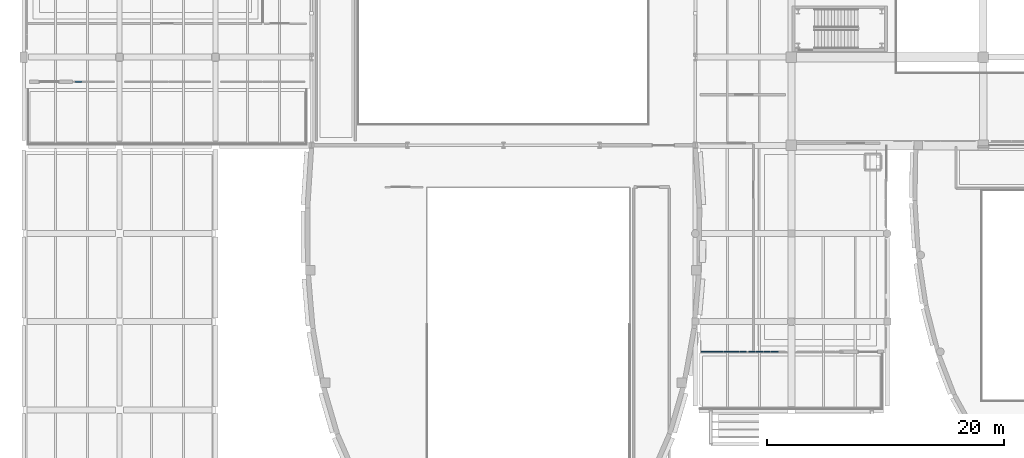
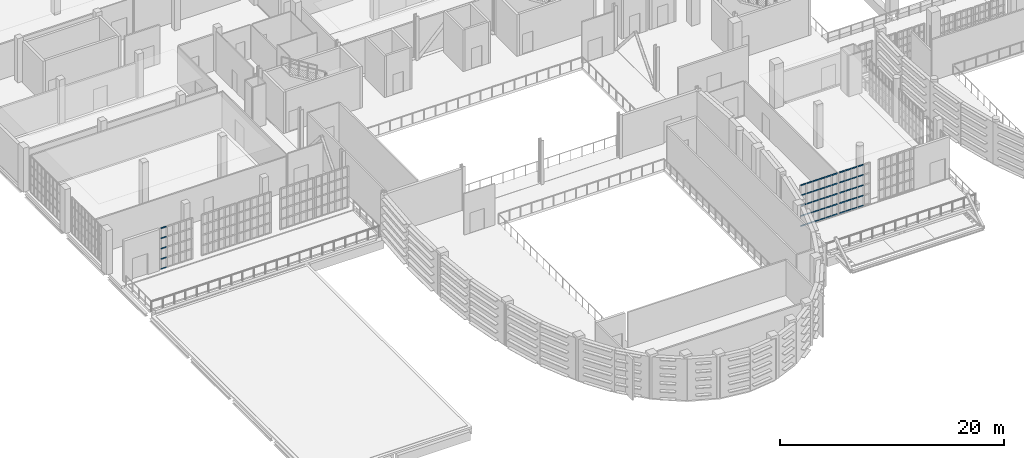
# One storey, part 52 of 104: 55 members, 3 elements without a shape of their own.
"""IFC4 building model written with IfcOpenShell, lengths in metres."""

from ifc_helpers import new_model, si_unit, direction, frame, origin, origin_2d, place, context, subcontext, project, spatial, hollow_rectangle, extrude, material, material_profile, profile_set, type_object, element, aggregate, save


model = new_model("IFC4")

# Units and contexts
model_context = context("Model", 3, precision=1e-05, world=origin(), true_north=direction((0.0, 1.0)))
body_context = subcontext(model_context, "Body", "Model", "MODEL_VIEW")
ifc_project = project(units=[si_unit("LENGTHUNIT", "METRE"), si_unit("AREAUNIT", "SQUARE_METRE"), si_unit("VOLUMEUNIT", "CUBIC_METRE"), si_unit("PLANEANGLEUNIT", "RADIAN"), si_unit("MASSUNIT", "GRAM", prefix="KILO")], contexts=[model_context])

# Site, building, storey
site_placement = place(None, origin())
site = spatial("IfcSite", under=ifc_project, at=site_placement, CompositionType="ELEMENT")
building_placement = place(site_placement, origin())
building = spatial("IfcBuilding", under=site, at=building_placement, Name="Kaelora Sail Theatre", CompositionType="ELEMENT")
storey_placement = place(building_placement, frame((0.0, 0.0, 5.39990234375)))
storey = spatial("IfcBuildingStorey", under=building, at=storey_placement, Name="L01", CompositionType="ELEMENT", Elevation=5.39990234375)

# Curtain wall, members
ifc_material_1 = material(Name="Anodised aluminium and solar-control low-E IGU", Category="aluminium")
curtain_wall_type = type_object("IfcCurtainWallType", Name="ARC-CW-CW-FOY2", PredefinedType="NOTDEFINED", material=ifc_material_1)
curtain_wall_1_placement = place(storey_placement, origin())
curtain_wall_1 = element("IfcCurtainWall", 1, at=curtain_wall_1_placement, inside=storey, type_object=curtain_wall_type, Name="West Interstitial Sail Foyer Curtain Wall L01-01", PredefinedType="NOTDEFINED")
ifc_material_2 = material(Name="Anodised aluminium 6063-T6", Category="aluminium")
ifc_material_profile = material_profile(ifc_material_2, hollow_rectangle(XDim=0.070068359375, YDim=0.139892578125, WallThickness=0.00390625, InnerFilletRadius=0.00390625, OuterFilletRadius=0.008056640625, at=origin_2d()), Name="ALU-TRAN 70x140x4")
ifc_profile_set = profile_set([ifc_material_profile], Name="Anodised aluminium 6063-T6")
member_type = type_object("IfcMemberType", Name="ARC-MEM-TR-140", PredefinedType="USERDEFINED", material=ifc_profile_set)
member_1_placement = place(storey_placement, frame((58.7099609375, 43.590087890625, 0.03515625), z_axis=(1.0, 0.0, 0.0), x_axis=(0.0, 1.0, 0.0)))
member_1 = element("IfcMember", 2, at=member_1_placement, type_object=member_type, Name="CW-FOY2 transom 1.1", ObjectType="TRANSOM", PredefinedType="USERDEFINED", context=body_context, shape_type="SweptSolid", body=[
    extrude(hollow_rectangle(XDim=0.070068359375, YDim=0.139892578125, WallThickness=0.00390625, InnerFilletRadius=0.00390625, OuterFilletRadius=0.008056640625, at=origin_2d()), origin(), (0.0, 0.0, 1.0), 0.56005859375),
])
member_2_placement = place(storey_placement, frame((58.7099609375, 43.590087890625, 1.12646484375), z_axis=(1.0, 0.0, 0.0), x_axis=(0.0, 1.0, 0.0)))
member_2 = element("IfcMember", 3, at=member_2_placement, type_object=member_type, Name="CW-FOY2 transom 1.2", ObjectType="TRANSOM", PredefinedType="USERDEFINED", context=body_context, shape_type="SweptSolid", body=[
    extrude(hollow_rectangle(XDim=0.070068359375, YDim=0.139892578125, WallThickness=0.00390625, InnerFilletRadius=0.00390625, OuterFilletRadius=0.008056640625, at=origin_2d()), origin(), (0.0, 0.0, 1.0), 0.56005859375),
])
member_3_placement = place(storey_placement, frame((58.7099609375, 43.590087890625, 2.252685546875), z_axis=(1.0, 0.0, 0.0), x_axis=(0.0, 1.0, 0.0)))
member_3 = element("IfcMember", 4, at=member_3_placement, type_object=member_type, Name="CW-FOY2 transom 1.3", ObjectType="TRANSOM", PredefinedType="USERDEFINED", context=body_context, shape_type="SweptSolid", body=[
    extrude(hollow_rectangle(XDim=0.070068359375, YDim=0.139892578125, WallThickness=0.00390625, InnerFilletRadius=0.00390625, OuterFilletRadius=0.008056640625, at=origin_2d()), origin(), (0.0, 0.0, 1.0), 0.56005859375),
])
member_4_placement = place(storey_placement, frame((58.7099609375, 43.590087890625, 3.37890625), z_axis=(1.0, 0.0, 0.0), x_axis=(0.0, 1.0, 0.0)))
member_4 = element("IfcMember", 5, at=member_4_placement, type_object=member_type, Name="CW-FOY2 transom 1.4", ObjectType="TRANSOM", PredefinedType="USERDEFINED", context=body_context, shape_type="SweptSolid", body=[
    extrude(hollow_rectangle(XDim=0.070068359375, YDim=0.139892578125, WallThickness=0.00390625, InnerFilletRadius=0.00390625, OuterFilletRadius=0.008056640625, at=origin_2d()), origin(), (0.0, 0.0, 1.0), 0.56005859375),
])
member_5_placement = place(storey_placement, frame((58.7099609375, 43.590087890625, 4.47021484375), z_axis=(1.0, 0.0, 0.0), x_axis=(0.0, 1.0, 0.0)))
member_5 = element("IfcMember", 6, at=member_5_placement, type_object=member_type, Name="CW-FOY2 transom 1.5", ObjectType="TRANSOM", PredefinedType="USERDEFINED", context=body_context, shape_type="SweptSolid", body=[
    extrude(hollow_rectangle(XDim=0.070068359375, YDim=0.139892578125, WallThickness=0.00390625, InnerFilletRadius=0.00390625, OuterFilletRadius=0.008056640625, at=origin_2d()), origin(), (0.0, 0.0, 1.0), 0.56005859375),
])
member_6_placement = place(storey_placement, frame((59.330078125, 43.590087890625, 0.03515625), z_axis=(1.0, 0.0, 0.0), x_axis=(0.0, 1.0, 0.0)))
member_6 = element("IfcMember", 7, at=member_6_placement, type_object=member_type, Name="CW-FOY2 transom 2.1", ObjectType="TRANSOM", PredefinedType="USERDEFINED", context=body_context, shape_type="SweptSolid", body=[
    extrude(hollow_rectangle(XDim=0.070068359375, YDim=0.139892578125, WallThickness=0.00390625, InnerFilletRadius=0.00390625, OuterFilletRadius=0.008056640625, at=origin_2d()), origin(), (0.0, 0.0, 1.0), 0.58984375),
])
member_7_placement = place(storey_placement, frame((59.330078125, 43.590087890625, 1.12646484375), z_axis=(1.0, 0.0, 0.0), x_axis=(0.0, 1.0, 0.0)))
member_7 = element("IfcMember", 8, at=member_7_placement, type_object=member_type, Name="CW-FOY2 transom 2.2", ObjectType="TRANSOM", PredefinedType="USERDEFINED", context=body_context, shape_type="SweptSolid", body=[
    extrude(hollow_rectangle(XDim=0.070068359375, YDim=0.139892578125, WallThickness=0.00390625, InnerFilletRadius=0.00390625, OuterFilletRadius=0.008056640625, at=origin_2d()), origin(), (0.0, 0.0, 1.0), 0.58984375),
])
member_8_placement = place(storey_placement, frame((59.330078125, 43.590087890625, 2.252685546875), z_axis=(1.0, 0.0, 0.0), x_axis=(0.0, 1.0, 0.0)))
member_8 = element("IfcMember", 9, at=member_8_placement, type_object=member_type, Name="CW-FOY2 transom 2.3", ObjectType="TRANSOM", PredefinedType="USERDEFINED", context=body_context, shape_type="SweptSolid", body=[
    extrude(hollow_rectangle(XDim=0.070068359375, YDim=0.139892578125, WallThickness=0.00390625, InnerFilletRadius=0.00390625, OuterFilletRadius=0.008056640625, at=origin_2d()), origin(), (0.0, 0.0, 1.0), 0.58984375),
])
member_9_placement = place(storey_placement, frame((59.330078125, 43.590087890625, 3.37890625), z_axis=(1.0, 0.0, 0.0), x_axis=(0.0, 1.0, 0.0)))
member_9 = element("IfcMember", 10, at=member_9_placement, type_object=member_type, Name="CW-FOY2 transom 2.4", ObjectType="TRANSOM", PredefinedType="USERDEFINED", context=body_context, shape_type="SweptSolid", body=[
    extrude(hollow_rectangle(XDim=0.070068359375, YDim=0.139892578125, WallThickness=0.00390625, InnerFilletRadius=0.00390625, OuterFilletRadius=0.008056640625, at=origin_2d()), origin(), (0.0, 0.0, 1.0), 0.58984375),
])
member_10_placement = place(storey_placement, frame((59.330078125, 43.590087890625, 4.47021484375), z_axis=(1.0, 0.0, 0.0), x_axis=(0.0, 1.0, 0.0)))
member_10 = element("IfcMember", 11, at=member_10_placement, type_object=member_type, Name="CW-FOY2 transom 2.5", ObjectType="TRANSOM", PredefinedType="USERDEFINED", context=body_context, shape_type="SweptSolid", body=[
    extrude(hollow_rectangle(XDim=0.070068359375, YDim=0.139892578125, WallThickness=0.00390625, InnerFilletRadius=0.00390625, OuterFilletRadius=0.008056640625, at=origin_2d()), origin(), (0.0, 0.0, 1.0), 0.58984375),
])
member_11_placement = place(storey_placement, frame((59.97998046875, 43.590087890625, 0.03515625), z_axis=(1.0, 0.0, 0.0), x_axis=(0.0, 1.0, 0.0)))
member_11 = element("IfcMember", 12, at=member_11_placement, type_object=member_type, Name="CW-FOY2 transom 3.1", ObjectType="TRANSOM", PredefinedType="USERDEFINED", context=body_context, shape_type="SweptSolid", body=[
    extrude(hollow_rectangle(XDim=0.070068359375, YDim=0.139892578125, WallThickness=0.00390625, InnerFilletRadius=0.00390625, OuterFilletRadius=0.008056640625, at=origin_2d()), origin(), (0.0, 0.0, 1.0), 0.590087890625),
])
member_12_placement = place(storey_placement, frame((59.97998046875, 43.590087890625, 1.12646484375), z_axis=(1.0, 0.0, 0.0), x_axis=(0.0, 1.0, 0.0)))
member_12 = element("IfcMember", 13, at=member_12_placement, type_object=member_type, Name="CW-FOY2 transom 3.2", ObjectType="TRANSOM", PredefinedType="USERDEFINED", context=body_context, shape_type="SweptSolid", body=[
    extrude(hollow_rectangle(XDim=0.070068359375, YDim=0.139892578125, WallThickness=0.00390625, InnerFilletRadius=0.00390625, OuterFilletRadius=0.008056640625, at=origin_2d()), origin(), (0.0, 0.0, 1.0), 0.590087890625),
])
member_13_placement = place(storey_placement, frame((59.97998046875, 43.590087890625, 2.252685546875), z_axis=(1.0, 0.0, 0.0), x_axis=(0.0, 1.0, 0.0)))
member_13 = element("IfcMember", 14, at=member_13_placement, type_object=member_type, Name="CW-FOY2 transom 3.3", ObjectType="TRANSOM", PredefinedType="USERDEFINED", context=body_context, shape_type="SweptSolid", body=[
    extrude(hollow_rectangle(XDim=0.070068359375, YDim=0.139892578125, WallThickness=0.00390625, InnerFilletRadius=0.00390625, OuterFilletRadius=0.008056640625, at=origin_2d()), origin(), (0.0, 0.0, 1.0), 0.590087890625),
])
member_14_placement = place(storey_placement, frame((59.97998046875, 43.590087890625, 3.37890625), z_axis=(1.0, 0.0, 0.0), x_axis=(0.0, 1.0, 0.0)))
member_14 = element("IfcMember", 15, at=member_14_placement, type_object=member_type, Name="CW-FOY2 transom 3.4", ObjectType="TRANSOM", PredefinedType="USERDEFINED", context=body_context, shape_type="SweptSolid", body=[
    extrude(hollow_rectangle(XDim=0.070068359375, YDim=0.139892578125, WallThickness=0.00390625, InnerFilletRadius=0.00390625, OuterFilletRadius=0.008056640625, at=origin_2d()), origin(), (0.0, 0.0, 1.0), 0.590087890625),
])
member_15_placement = place(storey_placement, frame((59.97998046875, 43.590087890625, 4.47021484375), z_axis=(1.0, 0.0, 0.0), x_axis=(0.0, 1.0, 0.0)))
member_15 = element("IfcMember", 16, at=member_15_placement, type_object=member_type, Name="CW-FOY2 transom 3.5", ObjectType="TRANSOM", PredefinedType="USERDEFINED", context=body_context, shape_type="SweptSolid", body=[
    extrude(hollow_rectangle(XDim=0.070068359375, YDim=0.139892578125, WallThickness=0.00390625, InnerFilletRadius=0.00390625, OuterFilletRadius=0.008056640625, at=origin_2d()), origin(), (0.0, 0.0, 1.0), 0.590087890625),
])
member_16_placement = place(storey_placement, frame((60.6298828125, 43.590087890625, 0.03515625), z_axis=(1.0, 0.0, 0.0), x_axis=(0.0, 1.0, 0.0)))
member_16 = element("IfcMember", 17, at=member_16_placement, type_object=member_type, Name="CW-FOY2 transom 4.1", ObjectType="TRANSOM", PredefinedType="USERDEFINED", context=body_context, shape_type="SweptSolid", body=[
    extrude(hollow_rectangle(XDim=0.070068359375, YDim=0.139892578125, WallThickness=0.00390625, InnerFilletRadius=0.00390625, OuterFilletRadius=0.008056640625, at=origin_2d()), origin(), (0.0, 0.0, 1.0), 0.590087890625),
])
member_17_placement = place(storey_placement, frame((60.6298828125, 43.590087890625, 1.12646484375), z_axis=(1.0, 0.0, 0.0), x_axis=(0.0, 1.0, 0.0)))
member_17 = element("IfcMember", 18, at=member_17_placement, type_object=member_type, Name="CW-FOY2 transom 4.2", ObjectType="TRANSOM", PredefinedType="USERDEFINED", context=body_context, shape_type="SweptSolid", body=[
    extrude(hollow_rectangle(XDim=0.070068359375, YDim=0.139892578125, WallThickness=0.00390625, InnerFilletRadius=0.00390625, OuterFilletRadius=0.008056640625, at=origin_2d()), origin(), (0.0, 0.0, 1.0), 0.590087890625),
])
member_18_placement = place(storey_placement, frame((60.6298828125, 43.590087890625, 2.252685546875), z_axis=(1.0, 0.0, 0.0), x_axis=(0.0, 1.0, 0.0)))
member_18 = element("IfcMember", 19, at=member_18_placement, type_object=member_type, Name="CW-FOY2 transom 4.3", ObjectType="TRANSOM", PredefinedType="USERDEFINED", context=body_context, shape_type="SweptSolid", body=[
    extrude(hollow_rectangle(XDim=0.070068359375, YDim=0.139892578125, WallThickness=0.00390625, InnerFilletRadius=0.00390625, OuterFilletRadius=0.008056640625, at=origin_2d()), origin(), (0.0, 0.0, 1.0), 0.590087890625),
])
member_19_placement = place(storey_placement, frame((60.6298828125, 43.590087890625, 3.37890625), z_axis=(1.0, 0.0, 0.0), x_axis=(0.0, 1.0, 0.0)))
member_19 = element("IfcMember", 20, at=member_19_placement, type_object=member_type, Name="CW-FOY2 transom 4.4", ObjectType="TRANSOM", PredefinedType="USERDEFINED", context=body_context, shape_type="SweptSolid", body=[
    extrude(hollow_rectangle(XDim=0.070068359375, YDim=0.139892578125, WallThickness=0.00390625, InnerFilletRadius=0.00390625, OuterFilletRadius=0.008056640625, at=origin_2d()), origin(), (0.0, 0.0, 1.0), 0.590087890625),
])
member_20_placement = place(storey_placement, frame((60.6298828125, 43.590087890625, 4.47021484375), z_axis=(1.0, 0.0, 0.0), x_axis=(0.0, 1.0, 0.0)))
member_20 = element("IfcMember", 21, at=member_20_placement, type_object=member_type, Name="CW-FOY2 transom 4.5", ObjectType="TRANSOM", PredefinedType="USERDEFINED", context=body_context, shape_type="SweptSolid", body=[
    extrude(hollow_rectangle(XDim=0.070068359375, YDim=0.139892578125, WallThickness=0.00390625, InnerFilletRadius=0.00390625, OuterFilletRadius=0.008056640625, at=origin_2d()), origin(), (0.0, 0.0, 1.0), 0.590087890625),
])
member_21_placement = place(storey_placement, frame((61.280029296875, 43.590087890625, 0.03515625), z_axis=(1.0, 0.0, 0.0), x_axis=(0.0, 1.0, 0.0)))
member_21 = element("IfcMember", 22, at=member_21_placement, type_object=member_type, Name="CW-FOY2 transom 5.1", ObjectType="TRANSOM", PredefinedType="USERDEFINED", context=body_context, shape_type="SweptSolid", body=[
    extrude(hollow_rectangle(XDim=0.070068359375, YDim=0.139892578125, WallThickness=0.00390625, InnerFilletRadius=0.00390625, OuterFilletRadius=0.008056640625, at=origin_2d()), origin(), (0.0, 0.0, 1.0), 0.590087890625),
])
member_22_placement = place(storey_placement, frame((61.280029296875, 43.590087890625, 1.12646484375), z_axis=(1.0, 0.0, 0.0), x_axis=(0.0, 1.0, 0.0)))
member_22 = element("IfcMember", 23, at=member_22_placement, type_object=member_type, Name="CW-FOY2 transom 5.2", ObjectType="TRANSOM", PredefinedType="USERDEFINED", context=body_context, shape_type="SweptSolid", body=[
    extrude(hollow_rectangle(XDim=0.070068359375, YDim=0.139892578125, WallThickness=0.00390625, InnerFilletRadius=0.00390625, OuterFilletRadius=0.008056640625, at=origin_2d()), origin(), (0.0, 0.0, 1.0), 0.590087890625),
])
member_23_placement = place(storey_placement, frame((61.280029296875, 43.590087890625, 2.252685546875), z_axis=(1.0, 0.0, 0.0), x_axis=(0.0, 1.0, 0.0)))
member_23 = element("IfcMember", 24, at=member_23_placement, type_object=member_type, Name="CW-FOY2 transom 5.3", ObjectType="TRANSOM", PredefinedType="USERDEFINED", context=body_context, shape_type="SweptSolid", body=[
    extrude(hollow_rectangle(XDim=0.070068359375, YDim=0.139892578125, WallThickness=0.00390625, InnerFilletRadius=0.00390625, OuterFilletRadius=0.008056640625, at=origin_2d()), origin(), (0.0, 0.0, 1.0), 0.590087890625),
])
member_24_placement = place(storey_placement, frame((61.280029296875, 43.590087890625, 3.37890625), z_axis=(1.0, 0.0, 0.0), x_axis=(0.0, 1.0, 0.0)))
member_24 = element("IfcMember", 25, at=member_24_placement, type_object=member_type, Name="CW-FOY2 transom 5.4", ObjectType="TRANSOM", PredefinedType="USERDEFINED", context=body_context, shape_type="SweptSolid", body=[
    extrude(hollow_rectangle(XDim=0.070068359375, YDim=0.139892578125, WallThickness=0.00390625, InnerFilletRadius=0.00390625, OuterFilletRadius=0.008056640625, at=origin_2d()), origin(), (0.0, 0.0, 1.0), 0.590087890625),
])
member_25_placement = place(storey_placement, frame((61.280029296875, 43.590087890625, 4.47021484375), z_axis=(1.0, 0.0, 0.0), x_axis=(0.0, 1.0, 0.0)))
member_25 = element("IfcMember", 26, at=member_25_placement, type_object=member_type, Name="CW-FOY2 transom 5.5", ObjectType="TRANSOM", PredefinedType="USERDEFINED", context=body_context, shape_type="SweptSolid", body=[
    extrude(hollow_rectangle(XDim=0.070068359375, YDim=0.139892578125, WallThickness=0.00390625, InnerFilletRadius=0.00390625, OuterFilletRadius=0.008056640625, at=origin_2d()), origin(), (0.0, 0.0, 1.0), 0.590087890625),
])
member_26_placement = place(storey_placement, frame((61.929931640625, 43.590087890625, 0.03515625), z_axis=(1.0, 0.0, 0.0), x_axis=(0.0, 1.0, 0.0)))
member_26 = element("IfcMember", 27, at=member_26_placement, type_object=member_type, Name="CW-FOY2 transom 6.1", ObjectType="TRANSOM", PredefinedType="USERDEFINED", context=body_context, shape_type="SweptSolid", body=[
    extrude(hollow_rectangle(XDim=0.070068359375, YDim=0.139892578125, WallThickness=0.00390625, InnerFilletRadius=0.00390625, OuterFilletRadius=0.008056640625, at=origin_2d()), origin(), (0.0, 0.0, 1.0), 0.56005859375),
])
member_27_placement = place(storey_placement, frame((61.929931640625, 43.590087890625, 1.12646484375), z_axis=(1.0, 0.0, 0.0), x_axis=(0.0, 1.0, 0.0)))
member_27 = element("IfcMember", 28, at=member_27_placement, type_object=member_type, Name="CW-FOY2 transom 6.2", ObjectType="TRANSOM", PredefinedType="USERDEFINED", context=body_context, shape_type="SweptSolid", body=[
    extrude(hollow_rectangle(XDim=0.070068359375, YDim=0.139892578125, WallThickness=0.00390625, InnerFilletRadius=0.00390625, OuterFilletRadius=0.008056640625, at=origin_2d()), origin(), (0.0, 0.0, 1.0), 0.56005859375),
])
member_28_placement = place(storey_placement, frame((61.929931640625, 43.590087890625, 2.252685546875), z_axis=(1.0, 0.0, 0.0), x_axis=(0.0, 1.0, 0.0)))
member_28 = element("IfcMember", 29, at=member_28_placement, type_object=member_type, Name="CW-FOY2 transom 6.3", ObjectType="TRANSOM", PredefinedType="USERDEFINED", context=body_context, shape_type="SweptSolid", body=[
    extrude(hollow_rectangle(XDim=0.070068359375, YDim=0.139892578125, WallThickness=0.00390625, InnerFilletRadius=0.00390625, OuterFilletRadius=0.008056640625, at=origin_2d()), origin(), (0.0, 0.0, 1.0), 0.56005859375),
])
member_29_placement = place(storey_placement, frame((61.929931640625, 43.590087890625, 3.37890625), z_axis=(1.0, 0.0, 0.0), x_axis=(0.0, 1.0, 0.0)))
member_29 = element("IfcMember", 30, at=member_29_placement, type_object=member_type, Name="CW-FOY2 transom 6.4", ObjectType="TRANSOM", PredefinedType="USERDEFINED", context=body_context, shape_type="SweptSolid", body=[
    extrude(hollow_rectangle(XDim=0.070068359375, YDim=0.139892578125, WallThickness=0.00390625, InnerFilletRadius=0.00390625, OuterFilletRadius=0.008056640625, at=origin_2d()), origin(), (0.0, 0.0, 1.0), 0.56005859375),
])
member_30_placement = place(storey_placement, frame((61.929931640625, 43.590087890625, 4.47021484375), z_axis=(1.0, 0.0, 0.0), x_axis=(0.0, 1.0, 0.0)))
member_30 = element("IfcMember", 31, at=member_30_placement, type_object=member_type, Name="CW-FOY2 transom 6.5", ObjectType="TRANSOM", PredefinedType="USERDEFINED", context=body_context, shape_type="SweptSolid", body=[
    extrude(hollow_rectangle(XDim=0.070068359375, YDim=0.139892578125, WallThickness=0.00390625, InnerFilletRadius=0.00390625, OuterFilletRadius=0.008056640625, at=origin_2d()), origin(), (0.0, 0.0, 1.0), 0.56005859375),
])
aggregate(curtain_wall_1, [member_1, member_2, member_3, member_4, member_5, member_6, member_7, member_8, member_9, member_10, member_11, member_12, member_13, member_14, member_15, member_16, member_17, member_18, member_19, member_20, member_21, member_22, member_23, member_24, member_25, member_26, member_27, member_28, member_29, member_30])

curtain_wall_2_placement = place(storey_placement, origin())
curtain_wall_2 = element("IfcCurtainWall", 32, at=curtain_wall_2_placement, inside=storey, type_object=curtain_wall_type, Name="West Interstitial Sail Foyer Curtain Wall L01-02", PredefinedType="NOTDEFINED")
member_31_placement = place(storey_placement, frame((62.7099609375, 43.590087890625, 0.03515625), z_axis=(1.0, 0.0, 0.0), x_axis=(0.0, 1.0, 0.0)))
member_31 = element("IfcMember", 33, at=member_31_placement, type_object=member_type, Name="CW-FOY2 transom 1.1", ObjectType="TRANSOM", PredefinedType="USERDEFINED", context=body_context, shape_type="SweptSolid", body=[
    extrude(hollow_rectangle(XDim=0.070068359375, YDim=0.139892578125, WallThickness=0.00390625, InnerFilletRadius=0.00390625, OuterFilletRadius=0.008056640625, at=origin_2d()), origin(), (0.0, 0.0, 1.0), 0.550048828125),
])
member_32_placement = place(storey_placement, frame((62.7099609375, 43.590087890625, 1.12646484375), z_axis=(1.0, 0.0, 0.0), x_axis=(0.0, 1.0, 0.0)))
member_32 = element("IfcMember", 34, at=member_32_placement, type_object=member_type, Name="CW-FOY2 transom 1.2", ObjectType="TRANSOM", PredefinedType="USERDEFINED", context=body_context, shape_type="SweptSolid", body=[
    extrude(hollow_rectangle(XDim=0.070068359375, YDim=0.139892578125, WallThickness=0.00390625, InnerFilletRadius=0.00390625, OuterFilletRadius=0.008056640625, at=origin_2d()), origin(), (0.0, 0.0, 1.0), 0.550048828125),
])
member_33_placement = place(storey_placement, frame((62.7099609375, 43.590087890625, 2.252685546875), z_axis=(1.0, 0.0, 0.0), x_axis=(0.0, 1.0, 0.0)))
member_33 = element("IfcMember", 35, at=member_33_placement, type_object=member_type, Name="CW-FOY2 transom 1.3", ObjectType="TRANSOM", PredefinedType="USERDEFINED", context=body_context, shape_type="SweptSolid", body=[
    extrude(hollow_rectangle(XDim=0.070068359375, YDim=0.139892578125, WallThickness=0.00390625, InnerFilletRadius=0.00390625, OuterFilletRadius=0.008056640625, at=origin_2d()), origin(), (0.0, 0.0, 1.0), 0.550048828125),
])
member_34_placement = place(storey_placement, frame((62.7099609375, 43.590087890625, 3.37890625), z_axis=(1.0, 0.0, 0.0), x_axis=(0.0, 1.0, 0.0)))
member_34 = element("IfcMember", 36, at=member_34_placement, type_object=member_type, Name="CW-FOY2 transom 1.4", ObjectType="TRANSOM", PredefinedType="USERDEFINED", context=body_context, shape_type="SweptSolid", body=[
    extrude(hollow_rectangle(XDim=0.070068359375, YDim=0.139892578125, WallThickness=0.00390625, InnerFilletRadius=0.00390625, OuterFilletRadius=0.008056640625, at=origin_2d()), origin(), (0.0, 0.0, 1.0), 0.550048828125),
])
member_35_placement = place(storey_placement, frame((62.7099609375, 43.590087890625, 4.47021484375), z_axis=(1.0, 0.0, 0.0), x_axis=(0.0, 1.0, 0.0)))
member_35 = element("IfcMember", 37, at=member_35_placement, type_object=member_type, Name="CW-FOY2 transom 1.5", ObjectType="TRANSOM", PredefinedType="USERDEFINED", context=body_context, shape_type="SweptSolid", body=[
    extrude(hollow_rectangle(XDim=0.070068359375, YDim=0.139892578125, WallThickness=0.00390625, InnerFilletRadius=0.00390625, OuterFilletRadius=0.008056640625, at=origin_2d()), origin(), (0.0, 0.0, 1.0), 0.550048828125),
])
member_36_placement = place(storey_placement, frame((63.320068359375, 43.590087890625, 0.03515625), z_axis=(1.0, 0.0, 0.0), x_axis=(0.0, 1.0, 0.0)))
member_36 = element("IfcMember", 38, at=member_36_placement, type_object=member_type, Name="CW-FOY2 transom 2.1", ObjectType="TRANSOM", PredefinedType="USERDEFINED", context=body_context, shape_type="SweptSolid", body=[
    extrude(hollow_rectangle(XDim=0.070068359375, YDim=0.139892578125, WallThickness=0.00390625, InnerFilletRadius=0.00390625, OuterFilletRadius=0.008056640625, at=origin_2d()), origin(), (0.0, 0.0, 1.0), 0.579833984375),
])
member_37_placement = place(storey_placement, frame((63.320068359375, 43.590087890625, 1.12646484375), z_axis=(1.0, 0.0, 0.0), x_axis=(0.0, 1.0, 0.0)))
member_37 = element("IfcMember", 39, at=member_37_placement, type_object=member_type, Name="CW-FOY2 transom 2.2", ObjectType="TRANSOM", PredefinedType="USERDEFINED", context=body_context, shape_type="SweptSolid", body=[
    extrude(hollow_rectangle(XDim=0.070068359375, YDim=0.139892578125, WallThickness=0.00390625, InnerFilletRadius=0.00390625, OuterFilletRadius=0.008056640625, at=origin_2d()), origin(), (0.0, 0.0, 1.0), 0.579833984375),
])
member_38_placement = place(storey_placement, frame((63.320068359375, 43.590087890625, 2.252685546875), z_axis=(1.0, 0.0, 0.0), x_axis=(0.0, 1.0, 0.0)))
member_38 = element("IfcMember", 40, at=member_38_placement, type_object=member_type, Name="CW-FOY2 transom 2.3", ObjectType="TRANSOM", PredefinedType="USERDEFINED", context=body_context, shape_type="SweptSolid", body=[
    extrude(hollow_rectangle(XDim=0.070068359375, YDim=0.139892578125, WallThickness=0.00390625, InnerFilletRadius=0.00390625, OuterFilletRadius=0.008056640625, at=origin_2d()), origin(), (0.0, 0.0, 1.0), 0.579833984375),
])
member_39_placement = place(storey_placement, frame((63.320068359375, 43.590087890625, 3.37890625), z_axis=(1.0, 0.0, 0.0), x_axis=(0.0, 1.0, 0.0)))
member_39 = element("IfcMember", 41, at=member_39_placement, type_object=member_type, Name="CW-FOY2 transom 2.4", ObjectType="TRANSOM", PredefinedType="USERDEFINED", context=body_context, shape_type="SweptSolid", body=[
    extrude(hollow_rectangle(XDim=0.070068359375, YDim=0.139892578125, WallThickness=0.00390625, InnerFilletRadius=0.00390625, OuterFilletRadius=0.008056640625, at=origin_2d()), origin(), (0.0, 0.0, 1.0), 0.579833984375),
])
member_40_placement = place(storey_placement, frame((63.320068359375, 43.590087890625, 4.47021484375), z_axis=(1.0, 0.0, 0.0), x_axis=(0.0, 1.0, 0.0)))
member_40 = element("IfcMember", 42, at=member_40_placement, type_object=member_type, Name="CW-FOY2 transom 2.5", ObjectType="TRANSOM", PredefinedType="USERDEFINED", context=body_context, shape_type="SweptSolid", body=[
    extrude(hollow_rectangle(XDim=0.070068359375, YDim=0.139892578125, WallThickness=0.00390625, InnerFilletRadius=0.00390625, OuterFilletRadius=0.008056640625, at=origin_2d()), origin(), (0.0, 0.0, 1.0), 0.579833984375),
])
member_41_placement = place(storey_placement, frame((63.9599609375, 43.590087890625, 0.03515625), z_axis=(1.0, 0.0, 0.0), x_axis=(0.0, 1.0, 0.0)))
member_41 = element("IfcMember", 43, at=member_41_placement, type_object=member_type, Name="CW-FOY2 transom 3.1", ObjectType="TRANSOM", PredefinedType="USERDEFINED", context=body_context, shape_type="SweptSolid", body=[
    extrude(hollow_rectangle(XDim=0.070068359375, YDim=0.139892578125, WallThickness=0.00390625, InnerFilletRadius=0.00390625, OuterFilletRadius=0.008056640625, at=origin_2d()), origin(), (0.0, 0.0, 1.0), 0.580078125),
])
member_42_placement = place(storey_placement, frame((63.9599609375, 43.590087890625, 1.12646484375), z_axis=(1.0, 0.0, 0.0), x_axis=(0.0, 1.0, 0.0)))
member_42 = element("IfcMember", 44, at=member_42_placement, type_object=member_type, Name="CW-FOY2 transom 3.2", ObjectType="TRANSOM", PredefinedType="USERDEFINED", context=body_context, shape_type="SweptSolid", body=[
    extrude(hollow_rectangle(XDim=0.070068359375, YDim=0.139892578125, WallThickness=0.00390625, InnerFilletRadius=0.00390625, OuterFilletRadius=0.008056640625, at=origin_2d()), origin(), (0.0, 0.0, 1.0), 0.580078125),
])
member_43_placement = place(storey_placement, frame((63.9599609375, 43.590087890625, 2.252685546875), z_axis=(1.0, 0.0, 0.0), x_axis=(0.0, 1.0, 0.0)))
member_43 = element("IfcMember", 45, at=member_43_placement, type_object=member_type, Name="CW-FOY2 transom 3.3", ObjectType="TRANSOM", PredefinedType="USERDEFINED", context=body_context, shape_type="SweptSolid", body=[
    extrude(hollow_rectangle(XDim=0.070068359375, YDim=0.139892578125, WallThickness=0.00390625, InnerFilletRadius=0.00390625, OuterFilletRadius=0.008056640625, at=origin_2d()), origin(), (0.0, 0.0, 1.0), 0.580078125),
])
member_44_placement = place(storey_placement, frame((63.9599609375, 43.590087890625, 3.37890625), z_axis=(1.0, 0.0, 0.0), x_axis=(0.0, 1.0, 0.0)))
member_44 = element("IfcMember", 46, at=member_44_placement, type_object=member_type, Name="CW-FOY2 transom 3.4", ObjectType="TRANSOM", PredefinedType="USERDEFINED", context=body_context, shape_type="SweptSolid", body=[
    extrude(hollow_rectangle(XDim=0.070068359375, YDim=0.139892578125, WallThickness=0.00390625, InnerFilletRadius=0.00390625, OuterFilletRadius=0.008056640625, at=origin_2d()), origin(), (0.0, 0.0, 1.0), 0.580078125),
])
member_45_placement = place(storey_placement, frame((63.9599609375, 43.590087890625, 4.47021484375), z_axis=(1.0, 0.0, 0.0), x_axis=(0.0, 1.0, 0.0)))
member_45 = element("IfcMember", 47, at=member_45_placement, type_object=member_type, Name="CW-FOY2 transom 3.5", ObjectType="TRANSOM", PredefinedType="USERDEFINED", context=body_context, shape_type="SweptSolid", body=[
    extrude(hollow_rectangle(XDim=0.070068359375, YDim=0.139892578125, WallThickness=0.00390625, InnerFilletRadius=0.00390625, OuterFilletRadius=0.008056640625, at=origin_2d()), origin(), (0.0, 0.0, 1.0), 0.580078125),
])
member_46_placement = place(storey_placement, frame((64.60009765625, 43.590087890625, 0.03515625), z_axis=(1.0, 0.0, 0.0), x_axis=(0.0, 1.0, 0.0)))
member_46 = element("IfcMember", 48, at=member_46_placement, type_object=member_type, Name="CW-FOY2 transom 4.1", ObjectType="TRANSOM", PredefinedType="USERDEFINED", context=body_context, shape_type="SweptSolid", body=[
    extrude(hollow_rectangle(XDim=0.070068359375, YDim=0.139892578125, WallThickness=0.00390625, InnerFilletRadius=0.00390625, OuterFilletRadius=0.008056640625, at=origin_2d()), origin(), (0.0, 0.0, 1.0), 0.579833984375),
])
member_47_placement = place(storey_placement, frame((64.60009765625, 43.590087890625, 1.12646484375), z_axis=(1.0, 0.0, 0.0), x_axis=(0.0, 1.0, 0.0)))
member_47 = element("IfcMember", 49, at=member_47_placement, type_object=member_type, Name="CW-FOY2 transom 4.2", ObjectType="TRANSOM", PredefinedType="USERDEFINED", context=body_context, shape_type="SweptSolid", body=[
    extrude(hollow_rectangle(XDim=0.070068359375, YDim=0.139892578125, WallThickness=0.00390625, InnerFilletRadius=0.00390625, OuterFilletRadius=0.008056640625, at=origin_2d()), origin(), (0.0, 0.0, 1.0), 0.579833984375),
])
member_48_placement = place(storey_placement, frame((64.60009765625, 43.590087890625, 2.252685546875), z_axis=(1.0, 0.0, 0.0), x_axis=(0.0, 1.0, 0.0)))
member_48 = element("IfcMember", 50, at=member_48_placement, type_object=member_type, Name="CW-FOY2 transom 4.3", ObjectType="TRANSOM", PredefinedType="USERDEFINED", context=body_context, shape_type="SweptSolid", body=[
    extrude(hollow_rectangle(XDim=0.070068359375, YDim=0.139892578125, WallThickness=0.00390625, InnerFilletRadius=0.00390625, OuterFilletRadius=0.008056640625, at=origin_2d()), origin(), (0.0, 0.0, 1.0), 0.579833984375),
])
member_49_placement = place(storey_placement, frame((64.60009765625, 43.590087890625, 3.37890625), z_axis=(1.0, 0.0, 0.0), x_axis=(0.0, 1.0, 0.0)))
member_49 = element("IfcMember", 51, at=member_49_placement, type_object=member_type, Name="CW-FOY2 transom 4.4", ObjectType="TRANSOM", PredefinedType="USERDEFINED", context=body_context, shape_type="SweptSolid", body=[
    extrude(hollow_rectangle(XDim=0.070068359375, YDim=0.139892578125, WallThickness=0.00390625, InnerFilletRadius=0.00390625, OuterFilletRadius=0.008056640625, at=origin_2d()), origin(), (0.0, 0.0, 1.0), 0.579833984375),
])
member_50_placement = place(storey_placement, frame((64.60009765625, 43.590087890625, 4.47021484375), z_axis=(1.0, 0.0, 0.0), x_axis=(0.0, 1.0, 0.0)))
member_50 = element("IfcMember", 52, at=member_50_placement, type_object=member_type, Name="CW-FOY2 transom 4.5", ObjectType="TRANSOM", PredefinedType="USERDEFINED", context=body_context, shape_type="SweptSolid", body=[
    extrude(hollow_rectangle(XDim=0.070068359375, YDim=0.139892578125, WallThickness=0.00390625, InnerFilletRadius=0.00390625, OuterFilletRadius=0.008056640625, at=origin_2d()), origin(), (0.0, 0.0, 1.0), 0.579833984375),
])
aggregate(curtain_wall_2, [member_31, member_32, member_33, member_34, member_35, member_36, member_37, member_38, member_39, member_40, member_41, member_42, member_43, member_44, member_45, member_46, member_47, member_48, member_49, member_50])

curtain_wall_3_placement = place(storey_placement, origin())
curtain_wall_3 = element("IfcCurtainWall", 53, at=curtain_wall_3_placement, inside=storey, type_object=curtain_wall_type, Name="Glazed Foyer/Conservatory Curtain Wall FW1-S-L01-01", PredefinedType="NOTDEFINED")
member_51_placement = place(storey_placement, frame((5.860107421875, 66.389892578125, 0.03515625), z_axis=(1.0, 0.0, 0.0), x_axis=(0.0, 1.0, 0.0)))
member_51 = element("IfcMember", 54, at=member_51_placement, type_object=member_type, Name="CW-FOY2 transom 1.1", ObjectType="TRANSOM", PredefinedType="USERDEFINED", context=body_context, shape_type="SweptSolid", body=[
    extrude(hollow_rectangle(XDim=0.070068359375, YDim=0.139892578125, WallThickness=0.00390625, InnerFilletRadius=0.00390625, OuterFilletRadius=0.008056640625, at=origin_2d()), origin(), (0.0, 0.0, 1.0), 0.56982421875),
])
member_52_placement = place(storey_placement, frame((5.860107421875, 66.389892578125, 1.12646484375), z_axis=(1.0, 0.0, 0.0), x_axis=(0.0, 1.0, 0.0)))
member_52 = element("IfcMember", 55, at=member_52_placement, type_object=member_type, Name="CW-FOY2 transom 1.2", ObjectType="TRANSOM", PredefinedType="USERDEFINED", context=body_context, shape_type="SweptSolid", body=[
    extrude(hollow_rectangle(XDim=0.070068359375, YDim=0.139892578125, WallThickness=0.00390625, InnerFilletRadius=0.00390625, OuterFilletRadius=0.008056640625, at=origin_2d()), origin(), (0.0, 0.0, 1.0), 0.56982421875),
])
member_53_placement = place(storey_placement, frame((5.860107421875, 66.389892578125, 2.252685546875), z_axis=(1.0, 0.0, 0.0), x_axis=(0.0, 1.0, 0.0)))
member_53 = element("IfcMember", 56, at=member_53_placement, type_object=member_type, Name="CW-FOY2 transom 1.3", ObjectType="TRANSOM", PredefinedType="USERDEFINED", context=body_context, shape_type="SweptSolid", body=[
    extrude(hollow_rectangle(XDim=0.070068359375, YDim=0.139892578125, WallThickness=0.00390625, InnerFilletRadius=0.00390625, OuterFilletRadius=0.008056640625, at=origin_2d()), origin(), (0.0, 0.0, 1.0), 0.56982421875),
])
member_54_placement = place(storey_placement, frame((5.860107421875, 66.389892578125, 3.37890625), z_axis=(1.0, 0.0, 0.0), x_axis=(0.0, 1.0, 0.0)))
member_54 = element("IfcMember", 57, at=member_54_placement, type_object=member_type, Name="CW-FOY2 transom 1.4", ObjectType="TRANSOM", PredefinedType="USERDEFINED", context=body_context, shape_type="SweptSolid", body=[
    extrude(hollow_rectangle(XDim=0.070068359375, YDim=0.139892578125, WallThickness=0.00390625, InnerFilletRadius=0.00390625, OuterFilletRadius=0.008056640625, at=origin_2d()), origin(), (0.0, 0.0, 1.0), 0.56982421875),
])
member_55_placement = place(storey_placement, frame((5.860107421875, 66.389892578125, 4.47021484375), z_axis=(1.0, 0.0, 0.0), x_axis=(0.0, 1.0, 0.0)))
member_55 = element("IfcMember", 58, at=member_55_placement, type_object=member_type, Name="CW-FOY2 transom 1.5", ObjectType="TRANSOM", PredefinedType="USERDEFINED", context=body_context, shape_type="SweptSolid", body=[
    extrude(hollow_rectangle(XDim=0.070068359375, YDim=0.139892578125, WallThickness=0.00390625, InnerFilletRadius=0.00390625, OuterFilletRadius=0.008056640625, at=origin_2d()), origin(), (0.0, 0.0, 1.0), 0.56982421875),
])
aggregate(curtain_wall_3, [member_51, member_52, member_53, member_54, member_55])

save(model, "model.ifc")
